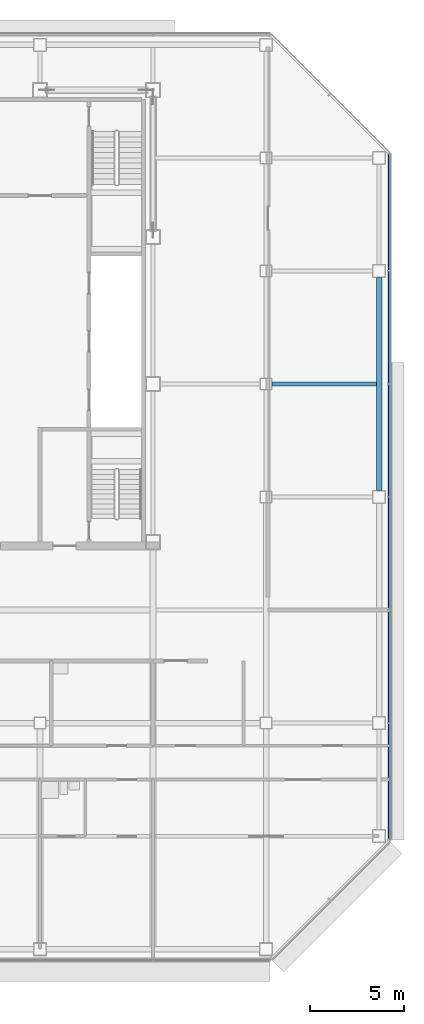
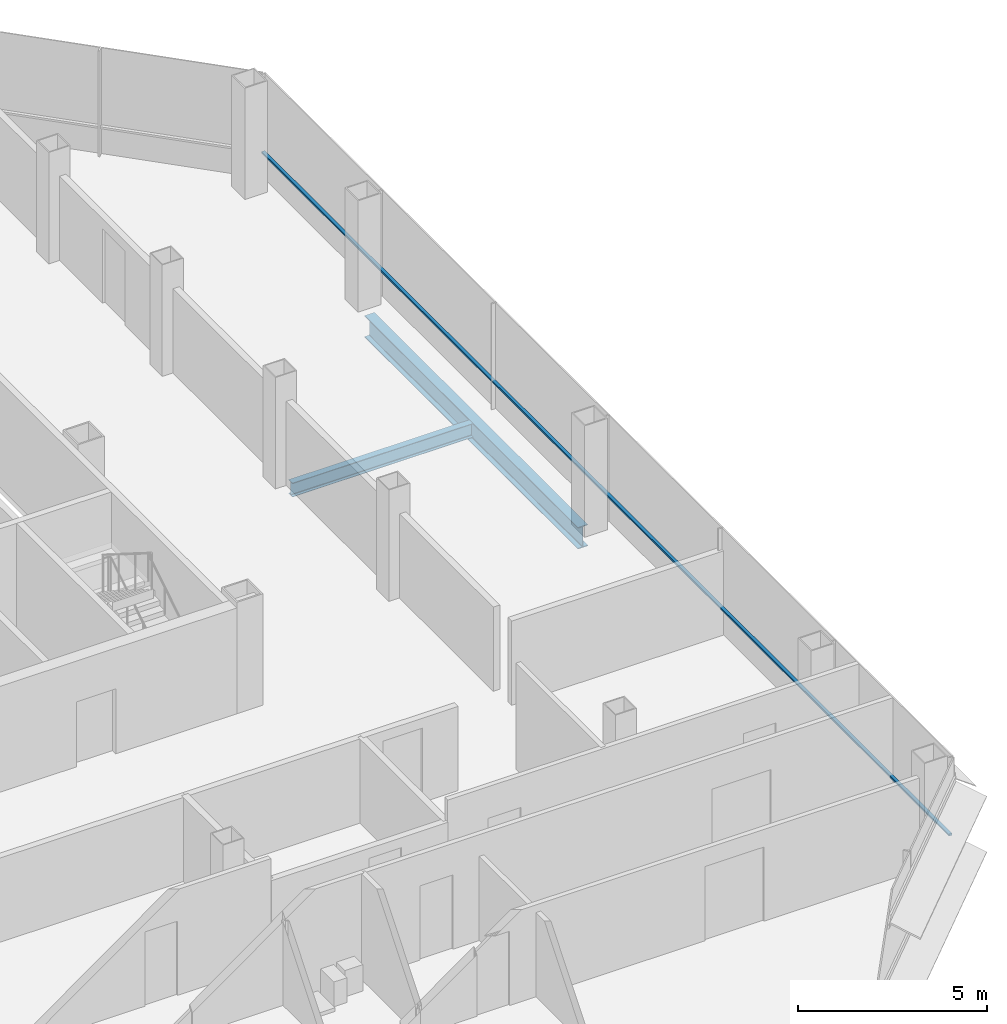
# One storey, part 17 of 27: 2 beams, 1 member, 1 element without a shape of its own.
"""IFC4 building model written with IfcOpenShell, lengths in metres."""

from ifc_helpers import new_model, si_unit, direction, frame, origin, origin_2d, place, context, subcontext, project, spatial, rectangle, i_section, extrude, material, material_profile, profile_set, type_object, element, aggregate, save


model = new_model("IFC4")

# Units and contexts
model_context = context("Model", 3, precision=1e-05, world=origin(), true_north=direction((0.0, 1.0)))
body_context = subcontext(model_context, "Body", "Model", "MODEL_VIEW")
ifc_project = project(units=[si_unit("LENGTHUNIT", "METRE"), si_unit("AREAUNIT", "SQUARE_METRE"), si_unit("VOLUMEUNIT", "CUBIC_METRE"), si_unit("PLANEANGLEUNIT", "RADIAN"), si_unit("MASSUNIT", "GRAM", prefix="KILO")], contexts=[model_context])

# Site, building, storey
site_placement = place(None, origin())
site = spatial("IfcSite", under=ifc_project, at=site_placement, CompositionType="ELEMENT")
building_placement = place(site_placement, origin())
building = spatial("IfcBuilding", under=site, at=building_placement, Name="Sorahane Residences", CompositionType="ELEMENT")
storey_placement = place(building_placement, frame((0.0, 0.0, 195.60009765625)))
storey = spatial("IfcBuildingStorey", under=building, at=storey_placement, Name="L45", CompositionType="ELEMENT", Elevation=195.60009765625)

# Curtain wall, member
ifc_material_1 = material(Name="Dark low-e glass and black anodised aluminium", Category="aluminium")
curtain_wall_type = type_object("IfcCurtainWallType", Name="Curtain wall CW-1 Typical unitised wall", PredefinedType="NOTDEFINED", material=ifc_material_1)
curtain_wall_placement = place(storey_placement, origin())
curtain_wall = element("IfcCurtainWall", 1, at=curtain_wall_placement, inside=storey, type_object=curtain_wall_type, Name="CW-1 curtain wall L45 E1", PredefinedType="NOTDEFINED")
ifc_material_2 = material(Name="Black anodised aluminium", Category="aluminium")
ifc_material_profile_1 = material_profile(ifc_material_2, rectangle(XDim=0.10009765625, YDim=0.06005859375, at=origin_2d()), Name="Curtain wall transom CW-1 black anodised aluminium 60x100")
ifc_profile_set_1 = profile_set([ifc_material_profile_1], Name="Black anodised aluminium")
member_type = type_object("IfcMemberType", Name="Curtain wall transom CW-1 black anodised aluminium 60x100", PredefinedType="USERDEFINED", material=ifc_profile_set_1)
member_placement = place(storey_placement, frame((54.530029296875, 5.801513671875, 0.89990234375), z_axis=(0.0, 1.0, 0.0), x_axis=(-1.0, 0.0, 0.0)))
member = element("IfcMember", 2, at=member_placement, type_object=member_type, Name="CW-1 transom L45 E1", ObjectType="TRANSOM", PredefinedType="USERDEFINED", context=body_context, shape_type="SweptSolid", body=[
    extrude(rectangle(XDim=0.10009765625, YDim=0.06005859375, at=origin_2d()), origin(), (0.0, 0.0, 1.0), 36.39697265625),
])
aggregate(curtain_wall, [member])

# Beams
ifc_material_3 = material(Name="Steel Q355B", Category="steel")
ifc_material_profile_2 = material_profile(ifc_material_3, i_section(OverallWidth=0.199951171875, OverallDepth=0.449951171875, WebThickness=0.009033203125, FlangeThickness=0.013916015625, FilletRadius=0.02001953125, at=origin_2d()), Name="HN 450x200x9x14")
ifc_profile_set_2 = profile_set([ifc_material_profile_2], Name="Steel Q355B")
beam_type_1 = type_object("IfcBeamType", Name="Steel floor beam HN 450x200x9x14 Q355B", PredefinedType="BEAM", material=ifc_profile_set_2)
beam_1_placement = place(storey_placement, frame((48.324951171875, 30.0, -0.405029296875), z_axis=(1.0, 0.0, 0.0), x_axis=(0.0, 1.0, 0.0)))
element("IfcBeam", 3, at=beam_1_placement, inside=storey, type_object=beam_type_1, Name="Beam L45 088", PredefinedType="BEAM", context=body_context, shape_type="SweptSolid", body=[
    extrude(i_section(OverallWidth=0.199951171875, OverallDepth=0.449951171875, WebThickness=0.009033203125, FlangeThickness=0.013916015625, FilletRadius=0.02001953125, at=origin_2d()), origin(), (0.0, 0.0, 1.0), 5.525146484375),
])
ifc_material_4 = material(Name="Steel Q355B", Category="steel")
ifc_material_profile_3 = material_profile(ifc_material_4, i_section(OverallWidth=0.300048828125, OverallDepth=0.699951171875, WebThickness=0.012939453125, FlangeThickness=0.02392578125, FilletRadius=0.028076171875, at=origin_2d()), Name="HN 700x300x13x24")
ifc_profile_set_3 = profile_set([ifc_material_profile_3], Name="Steel Q355B")
beam_type_2 = type_object("IfcBeamType", Name="Steel floor beam HN 700x300x13x24 Q355B", PredefinedType="BEAM", material=ifc_profile_set_3)
beam_2_placement = place(storey_placement, frame((54.0, 24.35009765625, -0.530029296875), z_axis=(0.0, 1.0, 0.0), x_axis=(-1.0, 0.0, 0.0)))
element("IfcBeam", 4, at=beam_2_placement, inside=storey, type_object=beam_type_2, Name="Beam L45 066", PredefinedType="BEAM", context=body_context, shape_type="SweptSolid", body=[
    extrude(i_section(OverallWidth=0.300048828125, OverallDepth=0.699951171875, WebThickness=0.012939453125, FlangeThickness=0.02392578125, FilletRadius=0.028076171875, at=origin_2d()), origin(), (0.0, 0.0, 1.0), 11.2998046875),
])

save(model, "model.ifc")
